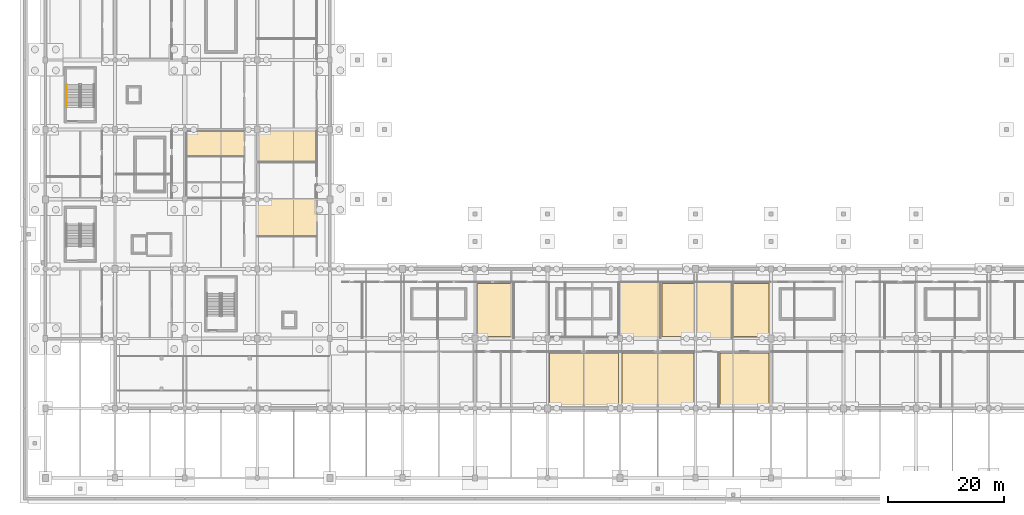
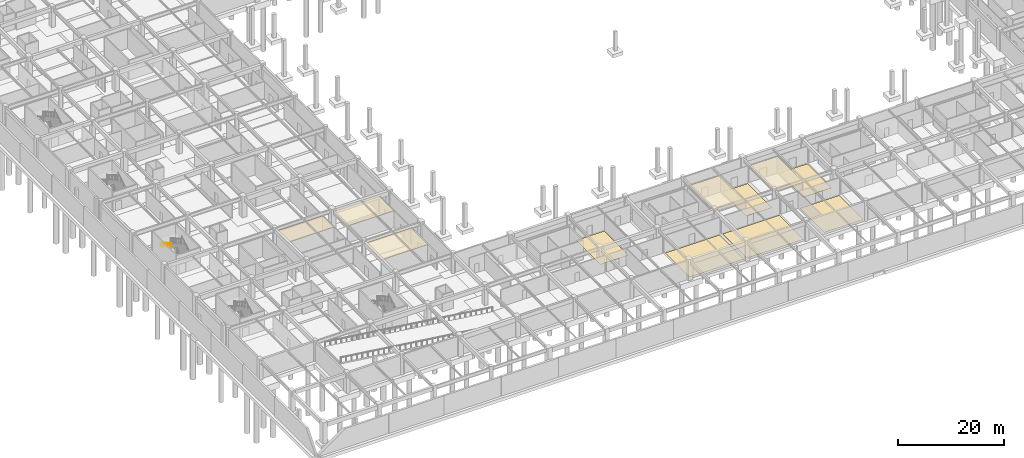
# One storey, part 46 of 56: 11 coverings, 1 railing.
"""IFC4 building model written with IfcOpenShell, lengths in metres."""

from ifc_helpers import new_model, si_unit, direction, frame, origin, origin_2d, place, context, subcontext, project, spatial, polyline, circle, outline, extrude, material, layer, layer_set, type_object, element, save


model = new_model("IFC4")

# Units and contexts
model_context = context("Model", 3, precision=1e-05, world=origin(), true_north=direction((0.0, 1.0)))
body_context = subcontext(model_context, "Body", "Model", "MODEL_VIEW")
ifc_project = project(units=[si_unit("LENGTHUNIT", "METRE"), si_unit("AREAUNIT", "SQUARE_METRE"), si_unit("VOLUMEUNIT", "CUBIC_METRE"), si_unit("PLANEANGLEUNIT", "RADIAN"), si_unit("MASSUNIT", "GRAM", prefix="KILO")], contexts=[model_context])

# Site, building, storey
site_placement = place(None, origin())
site = spatial("IfcSite", under=ifc_project, at=site_placement, CompositionType="ELEMENT")
building_placement = place(site_placement, origin())
building = spatial("IfcBuilding", under=site, at=building_placement, Name="Kazenohara Klinker Stadium", CompositionType="ELEMENT")
storey_placement = place(building_placement, frame((0.0, 0.0, -4.800048828125)))
storey = spatial("IfcBuildingStorey", under=building, at=storey_placement, Name="B01", CompositionType="ELEMENT", Elevation=-4.800048828125)

# Coverings
ifc_material_1 = material(Name="Perforated acoustic mineral-fibre ceiling tile", Category="gypsum")
ifc_layer_1 = layer(ifc_material_1, 0.030029296875)
ifc_layer_set_1 = layer_set([ifc_layer_1], Name="Perforated acoustic mineral-fibre ceiling tile")
covering_type_1 = type_object("IfcCoveringType", Name="COV-CEIL-01", PredefinedType="CEILING", material=ifc_layer_set_1)
covering_1_placement = place(storey_placement, frame((0.0, 0.0, 3.75)))
element("IfcCovering", 1, at=covering_1_placement, inside=storey, type_object=covering_type_1, Name="Suspended acoustic ceiling CL01 Water Closet Restroom Female B01-0204C", PredefinedType="CEILING", context=body_context, shape_type="SweptSolid", body=[
    extrude(outline(polyline([(24.219970703125, 55.35302734375), (34.280029296875, 55.35302734375), (34.280029296875, 59.780029296875), (24.219970703125, 59.780029296875), (24.219970703125, 55.35302734375)])), origin(), (0.0, 0.0, 1.0), 0.030029296875),
])
covering_2_placement = place(storey_placement, frame((0.0, 0.0, 3.75)))
element("IfcCovering", 2, at=covering_2_placement, inside=storey, type_object=covering_type_1, Name="Suspended acoustic ceiling CL01 Visiting-Club Athlete Changing Room B01-0304B", PredefinedType="CEILING", context=body_context, shape_type="SweptSolid", body=[
    extrude(outline(polyline([(36.56005859375, 54.368896484375), (46.7900390625, 54.368896484375), (46.7900390625, 59.9599609375), (36.56005859375, 59.9599609375), (36.56005859375, 54.368896484375)])), origin(), (0.0, 0.0, 1.0), 0.030029296875),
])
covering_3_placement = place(storey_placement, frame((0.0, 0.0, 3.75)))
element("IfcCovering", 3, at=covering_3_placement, inside=storey, type_object=covering_type_1, Name="Suspended acoustic ceiling CL01 Doping Control Medical Laboratory B01-0802A", PredefinedType="CEILING", context=body_context, shape_type="SweptSolid", body=[
    extrude(outline(polyline([(99.0400390625, 24.06005859375), (105.98388671875, 24.06005859375), (105.98388671875, 33.7900390625), (99.0400390625, 33.7900390625), (99.0400390625, 24.06005859375)])), origin(), (0.0, 0.0, 1.0), 0.030029296875),
])
ifc_material_2 = material(Name="Slatted Hokkaido cedar acoustic baffle ceiling", Category="wood")
ifc_layer_2 = layer(ifc_material_2, 0.0400390625)
ifc_layer_set_2 = layer_set([ifc_layer_2], Name="Slatted Hokkaido cedar acoustic baffle ceiling")
covering_type_2 = type_object("IfcCoveringType", Name="COV-CEIL-02", PredefinedType="CEILING", material=ifc_layer_set_2)
covering_4_placement = place(storey_placement, frame((0.0, 0.0, 3.739990234375)))
element("IfcCovering", 4, at=covering_4_placement, inside=storey, type_object=covering_type_2, Name="Suspended acoustic ceiling CL02 Sports Hydrotherapy Recovery Clinic B01-0303B", PredefinedType="CEILING", context=body_context, shape_type="SweptSolid", body=[
    extrude(outline(polyline([(36.56005859375, 41.55322265625), (46.7900390625, 41.55322265625), (46.7900390625, 47.9599609375), (36.56005859375, 47.9599609375), (36.56005859375, 41.55322265625)])), origin(), (0.0, 0.0, 1.0), 0.0400390625),
])
covering_5_placement = place(storey_placement, frame((0.0, 0.0, 3.739990234375)))
element("IfcCovering", 5, at=covering_5_placement, inside=storey, type_object=covering_type_2, Name="Suspended acoustic ceiling CL02 Match Officials Dressing Room B01-0902A", PredefinedType="CEILING", context=body_context, shape_type="SweptSolid", body=[
    extrude(outline(polyline([(112.0400390625, 24.06005859375), (118.349853515625, 24.06005859375), (118.349853515625, 33.7900390625), (112.0400390625, 33.7900390625), (112.0400390625, 24.06005859375)])), origin(), (0.0, 0.0, 1.0), 0.0400390625),
])
ifc_material_3 = material(Name="Slip-resistant honed basalt terrazzo flooring", Category="masonry")
ifc_layer_3 = layer(ifc_material_3, 0.02001953125)
ifc_layer_set_3 = layer_set([ifc_layer_3], Name="Slip-resistant honed basalt terrazzo flooring")
covering_type_3 = type_object("IfcCoveringType", Name="COV-FLR-01", PredefinedType="FLOORING", material=ifc_layer_set_3)
covering_6_placement = place(storey_placement, origin())
element("IfcCovering", 6, at=covering_6_placement, inside=storey, type_object=covering_type_3, Name="Interior floor finish FL01 Sports Hydrotherapy Recovery Clinic B01-0701A", PredefinedType="FLOORING", context=body_context, shape_type="SweptSolid", body=[
    extrude(outline(polyline([(86.81005859375, 12.330078125), (98.68994140625, 12.330078125), (98.68994140625, 21.52001953125), (86.81005859375, 21.52001953125), (86.81005859375, 12.330078125)])), origin(), (0.0, 0.0, 1.0), 0.02001953125),
])
covering_7_placement = place(storey_placement, origin())
element("IfcCovering", 7, at=covering_7_placement, inside=storey, type_object=covering_type_3, Name="Interior floor finish FL01 First-Team Athlete Changing Room B01-0802B", PredefinedType="FLOORING", context=body_context, shape_type="SweptSolid", body=[
    extrude(outline(polyline([(106.173828125, 24.330078125), (111.68994140625, 24.330078125), (111.68994140625, 33.52001953125), (106.173828125, 33.52001953125), (106.173828125, 24.330078125)])), origin(), (0.0, 0.0, 1.0), 0.02001953125),
])
covering_8_placement = place(storey_placement, origin())
element("IfcCovering", 8, at=covering_8_placement, inside=storey, type_object=covering_type_3, Name="Interior floor finish FL01 Mixed Zone Broadcast Interview Studio B01-0902B", PredefinedType="FLOORING", context=body_context, shape_type="SweptSolid", body=[
    extrude(outline(polyline([(118.539794921875, 24.330078125), (124.68994140625, 24.330078125), (124.68994140625, 33.52001953125), (118.539794921875, 33.52001953125), (118.539794921875, 24.330078125)])), origin(), (0.0, 0.0, 1.0), 0.02001953125),
])
ifc_material_4 = material(Name="Cushioned EPDM sports rubber flooring", Category="rubber")
ifc_layer_4 = layer(ifc_material_4, 0.014892578125)
ifc_layer_set_4 = layer_set([ifc_layer_4], Name="Cushioned EPDM sports rubber flooring")
covering_type_4 = type_object("IfcCoveringType", Name="COV-FLR-02", PredefinedType="FLOORING", material=ifc_layer_set_4)
covering_9_placement = place(storey_placement, origin())
element("IfcCovering", 9, at=covering_9_placement, inside=storey, type_object=covering_type_4, Name="Interior floor finish FL02 First-Team Athlete Changing Room B01-0602A", PredefinedType="FLOORING", context=body_context, shape_type="SweptSolid", body=[
    extrude(outline(polyline([(74.31005859375, 24.330078125), (80.4462890625, 24.330078125), (80.4462890625, 33.52001953125), (74.31005859375, 33.52001953125), (74.31005859375, 24.330078125)])), origin(), (0.0, 0.0, 1.0), 0.01513671875),
])
covering_10_placement = place(storey_placement, origin())
element("IfcCovering", 10, at=covering_10_placement, inside=storey, type_object=covering_type_4, Name="Interior floor finish FL02 Indoor Turf Sprint Training Arena B01-0801A", PredefinedType="FLOORING", context=body_context, shape_type="SweptSolid", body=[
    extrude(outline(polyline([(99.31005859375, 12.330078125), (111.68994140625, 12.330078125), (111.68994140625, 21.52001953125), (99.31005859375, 21.52001953125), (99.31005859375, 12.330078125)])), origin(), (0.0, 0.0, 1.0), 0.01513671875),
])
covering_11_placement = place(storey_placement, origin())
element("IfcCovering", 11, at=covering_11_placement, inside=storey, type_object=covering_type_4, Name="Interior floor finish FL02 Visiting-Club Athlete Changing Room B01-0901B", PredefinedType="FLOORING", context=body_context, shape_type="SweptSolid", body=[
    extrude(outline(polyline([(116.194091796875, 12.330078125), (124.68994140625, 12.330078125), (124.68994140625, 21.52001953125), (116.194091796875, 21.52001953125), (116.194091796875, 12.330078125)])), origin(), (0.0, 0.0, 1.0), 0.01513671875),
])

# Railing
ifc_material_5 = material(Name="Brushed stainless steel 304 handrail", Category="steel")
ifc_layer_5 = layer(ifc_material_5, 0.050048828125)
ifc_layer_set_5 = layer_set([ifc_layer_5], Name="Brushed stainless steel 304 handrail")
railing_type = type_object("IfcRailingType", Name="RL-HND-900", PredefinedType="HANDRAIL", material=ifc_layer_set_5)
railing_placement = place(storey_placement, frame((3.639892578125, 67.77001953125, 2.56005859375)))
element("IfcRailing", 12, at=railing_placement, inside=storey, type_object=railing_type, Name="B01 ST02 stair handrail 2", PredefinedType="HANDRAIL", context=body_context, shape_type="SweptSolid", body=[
    extrude(circle(Radius=0.02392578125, at=origin_2d()), frame((0.0, 0.0, 0.8759765625), z_axis=(0.0, -0.868239814368, 0.496144761885), x_axis=(1.0, 0.0, 0.0)), (0.0, 0.0, 1.0), 4.514892578125),
    extrude(circle(Radius=0.02099609375, at=origin_2d()), origin(), (0.0, 0.0, 1.0), 0.851806640625),
    extrude(circle(Radius=0.02099609375, at=origin_2d()), frame((0.0, -0.97998046875, 0.56005859375)), (0.0, 0.0, 1.0), 0.851806640625),
    extrude(circle(Radius=0.02099609375, at=origin_2d()), frame((0.0, -1.9599609375, 1.1201171875)), (0.0, 0.0, 1.0), 0.851806640625),
    extrude(circle(Radius=0.02099609375, at=origin_2d()), frame((0.0, -2.93994140625, 1.679931640625)), (0.0, 0.0, 1.0), 0.851806640625),
    extrude(circle(Radius=0.02099609375, at=origin_2d()), frame((0.0, -3.919921875, 2.239990234375)), (0.0, 0.0, 1.0), 0.851806640625),
])

save(model, "model.ifc")
